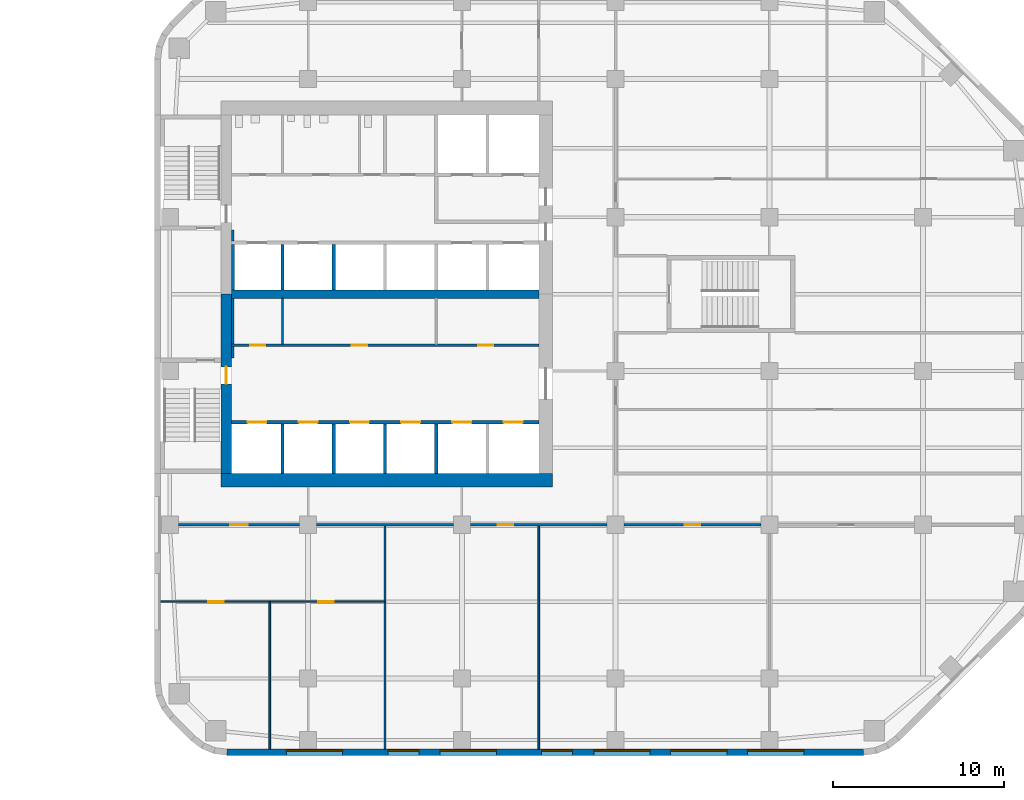
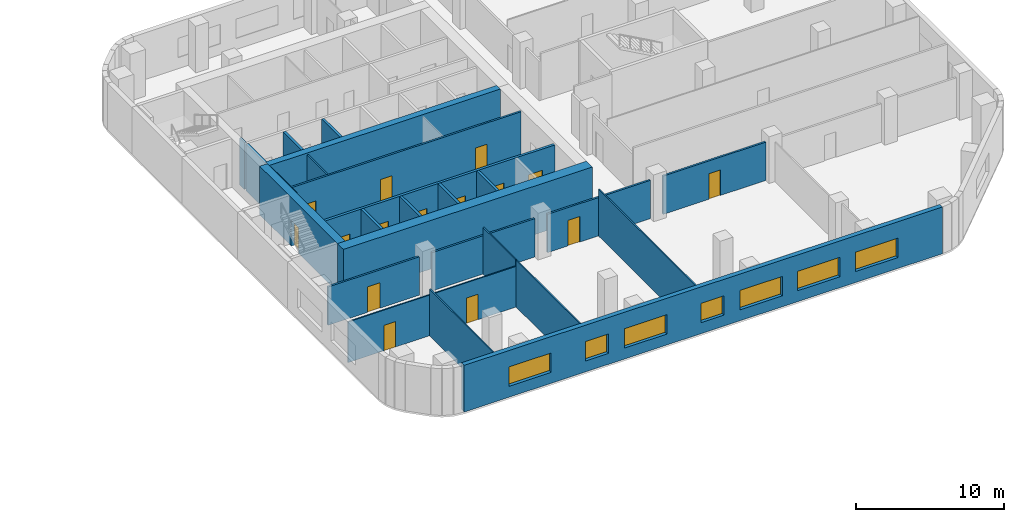
# One storey, part 8 of 14: 26 walls, 15 doors, 7 windows, 22 openings.
"""IFC4 building model written with IfcOpenShell, lengths in metres."""

from ifc_helpers import new_model, si_unit, direction, frame, frame_2d, origin, place, context, subcontext, project, spatial, rectangle, extrude, material, layer, layer_set, type_object, element, fill, save


model = new_model("IFC4")

# Units and contexts
model_context = context("Model", 3, precision=1e-05, world=origin(), true_north=direction((0.0, 1.0)))
body_context = subcontext(model_context, "Body", "Model", "MODEL_VIEW")
ifc_project = project(units=[si_unit("LENGTHUNIT", "METRE"), si_unit("AREAUNIT", "SQUARE_METRE"), si_unit("VOLUMEUNIT", "CUBIC_METRE"), si_unit("PLANEANGLEUNIT", "RADIAN"), si_unit("MASSUNIT", "GRAM", prefix="KILO")], contexts=[model_context])

# Site, building, storey
site_placement = place(None, origin())
site = spatial("IfcSite", under=ifc_project, at=site_placement, CompositionType="ELEMENT")
building_placement = place(site_placement, origin())
building = spatial("IfcBuilding", under=site, at=building_placement, Name="Cinnabar Reach Civic Tower", CompositionType="ELEMENT")
storey_placement = place(building_placement, frame((0.0, 0.0, 128.0)))
storey = spatial("IfcBuildingStorey", under=building, at=storey_placement, Name="L30", CompositionType="ELEMENT", Elevation=128.0)

# Wall, openings, windows
ifc_material_1 = material(Name="Facing brick with insulated backing", Category="masonry")
ifc_layer_1 = layer(ifc_material_1, 0.36)
ifc_layer_set_1 = layer_set([ifc_layer_1], Name="Brick pier and spandrel wall")
wall_type_1 = type_object("IfcWallType", Name="Brick pier and spandrel wall", PredefinedType="STANDARD", material=ifc_layer_set_1)
wall_1_placement = place(storey_placement, frame((4.2426, 4.68, 0.0), z_axis=(0.0, 0.0, 1.0), x_axis=(1.0, 0.0, 0.0)))
wall_1 = element("IfcWall", 1, at=wall_1_placement, inside=storey, type_object=wall_type_1, Name="Brick facade wall", PredefinedType="STANDARD", context=body_context, shape_type="SweptSolid", body=[
    extrude(rectangle(XDim=37.2648, YDim=0.36, at=frame_2d((18.6324, 0.0))), origin(), (0.0, 0.0, 1.0), 3.85),
])
opening_1_placement = place(wall_1_placement, frame((3.4824, 0.0, 0.9)))
opening_1 = element("IfcOpeningElement", 2, at=opening_1_placement, cuts=wall_1, Name="Opening W1633", PredefinedType="OPENING", context=body_context, shape_type="SweptSolid", body=[
    extrude(rectangle(XDim=3.3, YDim=1.6, at=frame_2d((1.65, 0.8))), frame((0.0, 0.19, 0.0), z_axis=(0.0, -1.0, 0.0), x_axis=(1.0, 0.0, 0.0)), (0.0, 0.0, 1.0), 0.38),
])
opening_2_placement = place(wall_1_placement, frame((9.4324, 0.0, 0.9)))
opening_2 = element("IfcOpeningElement", 3, at=opening_2_placement, cuts=wall_1, Name="Opening W1634", PredefinedType="OPENING", context=body_context, shape_type="SweptSolid", body=[
    extrude(rectangle(XDim=1.8, YDim=1.6, at=frame_2d((0.9, 0.8))), frame((0.0, 0.19, 0.0), z_axis=(0.0, -1.0, 0.0), x_axis=(1.0, 0.0, 0.0)), (0.0, 0.0, 1.0), 0.38),
])
opening_3_placement = place(wall_1_placement, frame((12.4824, 0.0, 0.9)))
opening_3 = element("IfcOpeningElement", 4, at=opening_3_placement, cuts=wall_1, Name="Opening W1635", PredefinedType="OPENING", context=body_context, shape_type="SweptSolid", body=[
    extrude(rectangle(XDim=3.3, YDim=1.6, at=frame_2d((1.65, 0.8))), frame((0.0, 0.19, 0.0), z_axis=(0.0, -1.0, 0.0), x_axis=(1.0, 0.0, 0.0)), (0.0, 0.0, 1.0), 0.38),
])
opening_4_placement = place(wall_1_placement, frame((18.4324, 0.0, 0.9)))
opening_4 = element("IfcOpeningElement", 5, at=opening_4_placement, cuts=wall_1, Name="Opening W1636", PredefinedType="OPENING", context=body_context, shape_type="SweptSolid", body=[
    extrude(rectangle(XDim=1.8, YDim=1.6, at=frame_2d((0.9, 0.8))), frame((0.0, 0.19, 0.0), z_axis=(0.0, -1.0, 0.0), x_axis=(1.0, 0.0, 0.0)), (0.0, 0.0, 1.0), 0.38),
])
opening_5_placement = place(wall_1_placement, frame((21.4824, 0.0, 0.9)))
opening_5 = element("IfcOpeningElement", 6, at=opening_5_placement, cuts=wall_1, Name="Opening W1637", PredefinedType="OPENING", context=body_context, shape_type="SweptSolid", body=[
    extrude(rectangle(XDim=3.3, YDim=1.6, at=frame_2d((1.65, 0.8))), frame((0.0, 0.19, 0.0), z_axis=(0.0, -1.0, 0.0), x_axis=(1.0, 0.0, 0.0)), (0.0, 0.0, 1.0), 0.38),
])
opening_6_placement = place(wall_1_placement, frame((25.9824, 0.0, 0.9)))
opening_6 = element("IfcOpeningElement", 7, at=opening_6_placement, cuts=wall_1, Name="Opening W1638", PredefinedType="OPENING", context=body_context, shape_type="SweptSolid", body=[
    extrude(rectangle(XDim=3.3, YDim=1.6, at=frame_2d((1.65, 0.8))), frame((0.0, 0.19, 0.0), z_axis=(0.0, -1.0, 0.0), x_axis=(1.0, 0.0, 0.0)), (0.0, 0.0, 1.0), 0.38),
])
opening_7_placement = place(wall_1_placement, frame((30.4824, 0.0, 0.9)))
opening_7 = element("IfcOpeningElement", 8, at=opening_7_placement, cuts=wall_1, Name="Opening W1639", PredefinedType="OPENING", context=body_context, shape_type="SweptSolid", body=[
    extrude(rectangle(XDim=3.3, YDim=1.6, at=frame_2d((1.65, 0.8))), frame((0.0, 0.19, 0.0), z_axis=(0.0, -1.0, 0.0), x_axis=(1.0, 0.0, 0.0)), (0.0, 0.0, 1.0), 0.38),
])
ifc_material_2 = material(Name="Clear double glazing in aluminium frame", Category="aluminium")
window_type_1 = type_object("IfcWindowType", Name="Deep-set window A", PartitioningType="SINGLE_PANEL", PredefinedType="WINDOW", material=ifc_material_2)
window_1_placement = place(opening_1_placement, origin())
window_1 = element("IfcWindow", 9, at=window_1_placement, inside=storey, type_object=window_type_1, Name="Window south face", OverallHeight=1.6, OverallWidth=3.3, PartitioningType="SINGLE_PANEL", PredefinedType="WINDOW", context=body_context, shape_type="SweptSolid", body=[
    extrude(rectangle(XDim=3.3, YDim=1.6, at=frame_2d((1.65, 0.8))), frame((0.0, 0.13, 0.0), z_axis=(0.0, -1.0, 0.0), x_axis=(1.0, 0.0, 0.0)), (0.0, 0.0, 1.0), 0.06),
])
fill(opening_1, window_1)
window_2_placement = place(opening_3_placement, origin())
window_2 = element("IfcWindow", 10, at=window_2_placement, inside=storey, type_object=window_type_1, Name="Window south face", OverallHeight=1.6, OverallWidth=3.3, PartitioningType="SINGLE_PANEL", PredefinedType="WINDOW", context=body_context, shape_type="SweptSolid", body=[
    extrude(rectangle(XDim=3.3, YDim=1.6, at=frame_2d((1.65, 0.8))), frame((0.0, 0.13, 0.0), z_axis=(0.0, -1.0, 0.0), x_axis=(1.0, 0.0, 0.0)), (0.0, 0.0, 1.0), 0.06),
])
fill(opening_3, window_2)
window_3_placement = place(opening_5_placement, origin())
window_3 = element("IfcWindow", 11, at=window_3_placement, inside=storey, type_object=window_type_1, Name="Window south face", OverallHeight=1.6, OverallWidth=3.3, PartitioningType="SINGLE_PANEL", PredefinedType="WINDOW", context=body_context, shape_type="SweptSolid", body=[
    extrude(rectangle(XDim=3.3, YDim=1.6, at=frame_2d((1.65, 0.8))), frame((0.0, 0.13, 0.0), z_axis=(0.0, -1.0, 0.0), x_axis=(1.0, 0.0, 0.0)), (0.0, 0.0, 1.0), 0.06),
])
fill(opening_5, window_3)
window_4_placement = place(opening_6_placement, origin())
window_4 = element("IfcWindow", 12, at=window_4_placement, inside=storey, type_object=window_type_1, Name="Window south face", OverallHeight=1.6, OverallWidth=3.3, PartitioningType="SINGLE_PANEL", PredefinedType="WINDOW", context=body_context, shape_type="SweptSolid", body=[
    extrude(rectangle(XDim=3.3, YDim=1.6, at=frame_2d((1.65, 0.8))), frame((0.0, 0.13, 0.0), z_axis=(0.0, -1.0, 0.0), x_axis=(1.0, 0.0, 0.0)), (0.0, 0.0, 1.0), 0.06),
])
fill(opening_6, window_4)
window_5_placement = place(opening_7_placement, origin())
window_5 = element("IfcWindow", 13, at=window_5_placement, inside=storey, type_object=window_type_1, Name="Window south face", OverallHeight=1.6, OverallWidth=3.3, PartitioningType="SINGLE_PANEL", PredefinedType="WINDOW", context=body_context, shape_type="SweptSolid", body=[
    extrude(rectangle(XDim=3.3, YDim=1.6, at=frame_2d((1.65, 0.8))), frame((0.0, 0.13, 0.0), z_axis=(0.0, -1.0, 0.0), x_axis=(1.0, 0.0, 0.0)), (0.0, 0.0, 1.0), 0.06),
])
fill(opening_7, window_5)
window_type_2 = type_object("IfcWindowType", Name="Deep-set window D", PartitioningType="SINGLE_PANEL", PredefinedType="WINDOW", material=ifc_material_2)
window_6_placement = place(opening_2_placement, origin())
window_6 = element("IfcWindow", 14, at=window_6_placement, inside=storey, type_object=window_type_2, Name="Window south face", OverallHeight=1.6, OverallWidth=1.8, PartitioningType="SINGLE_PANEL", PredefinedType="WINDOW", context=body_context, shape_type="SweptSolid", body=[
    extrude(rectangle(XDim=1.8, YDim=1.6, at=frame_2d((0.9, 0.8))), frame((0.0, 0.13, 0.0), z_axis=(0.0, -1.0, 0.0), x_axis=(1.0, 0.0, 0.0)), (0.0, 0.0, 1.0), 0.06),
])
fill(opening_2, window_6)
window_7_placement = place(opening_4_placement, origin())
window_7 = element("IfcWindow", 15, at=window_7_placement, inside=storey, type_object=window_type_2, Name="Window south face", OverallHeight=1.6, OverallWidth=1.8, PartitioningType="SINGLE_PANEL", PredefinedType="WINDOW", context=body_context, shape_type="SweptSolid", body=[
    extrude(rectangle(XDim=1.8, YDim=1.6, at=frame_2d((0.9, 0.8))), frame((0.0, 0.13, 0.0), z_axis=(0.0, -1.0, 0.0), x_axis=(1.0, 0.0, 0.0)), (0.0, 0.0, 1.0), 0.06),
])
fill(opening_4, window_7)

# Wall
ifc_material_3 = material(Name="Concrete C60", Category="concrete")
ifc_layer_2 = layer(ifc_material_3, 0.5)
ifc_layer_set_2 = layer_set([ifc_layer_2], Name="Core wall 500 EI 180")
wall_type_2 = type_object("IfcWallType", Name="Core wall 500 EI 180", PredefinedType="SOLIDWALL", material=ifc_layer_set_2)
wall_2_placement = place(storey_placement, frame((4.5, 31.5, 0.0), z_axis=(0.0, 0.0, 1.0), x_axis=(1.0, 0.0, 0.0)))
element("IfcWall", 16, at=wall_2_placement, inside=storey, type_object=wall_type_2, Name="Core spine wall T1 L30", PredefinedType="SOLIDWALL", context=body_context, shape_type="SweptSolid", body=[
    extrude(rectangle(XDim=18.0, YDim=0.5, at=frame_2d((9.0, 0.0))), origin(), (0.0, 0.0, 1.0), 4.0),
])

# Wall, opening, door
ifc_material_4 = material(Name="Concrete C70", Category="concrete")
ifc_layer_3 = layer(ifc_material_4, 0.6)
ifc_layer_set_3 = layer_set([ifc_layer_3], Name="Core wall 600 EI 180")
wall_type_3 = type_object("IfcWallType", Name="Core wall 600 EI 180", PredefinedType="SOLIDWALL", material=ifc_layer_set_3)
wall_3_placement = place(storey_placement, frame((4.2, 31.5, 0.0), z_axis=(0.0, 0.0, 1.0), x_axis=(0.0, -1.0, 0.0)))
wall_3 = element("IfcWall", 17, at=wall_3_placement, inside=storey, type_object=wall_type_3, Name="Core wall T1 L30 W2", PredefinedType="SOLIDWALL", context=body_context, shape_type="SweptSolid", body=[
    extrude(rectangle(XDim=10.5, YDim=0.6, at=frame_2d((5.25, 0.0))), origin(), (0.0, 0.0, 1.0), 4.0),
])
opening_8_placement = place(wall_3_placement, frame((4.25, 0.0, 0.0)))
opening_8 = element("IfcOpeningElement", 18, at=opening_8_placement, cuts=wall_3, Name="Opening D4212", PredefinedType="OPENING", context=body_context, shape_type="SweptSolid", body=[
    extrude(rectangle(XDim=1.0, YDim=2.1, at=frame_2d((0.5, 1.05))), frame((0.0, 0.31, 0.0), z_axis=(0.0, -1.0, 0.0), x_axis=(1.0, 0.0, 0.0)), (0.0, 0.0, 1.0), 0.62),
])
ifc_material_5 = material(Name="Timber door leaf in steel frame", Category="steel")
door_type_1 = type_object("IfcDoorType", Name="Stair door 1000 x 2100 T1", OperationType="SINGLE_SWING_LEFT", PredefinedType="DOOR", material=ifc_material_5)
door_1_placement = place(opening_8_placement, frame((1.0, 0.0, 0.0), z_axis=(0.0, 0.0, 1.0), x_axis=(-1.0, 0.0, 0.0)))
door_1 = element("IfcDoor", 19, at=door_1_placement, inside=storey, type_object=door_type_1, Name="Door D4212", OperationType="SINGLE_SWING_RIGHT", OverallHeight=2.1, OverallWidth=1.0, PredefinedType="DOOR", context=body_context, shape_type="SweptSolid", body=[
    extrude(rectangle(XDim=1.0, YDim=2.1, at=frame_2d((0.5, 1.05))), frame((0.0, 0.025, 0.0), z_axis=(0.0, -1.0, 0.0), x_axis=(1.0, 0.0, 0.0)), (0.0, 0.0, 1.0), 0.05),
])
fill(opening_8, door_1)

# Wall
ifc_layer_4 = layer(ifc_material_4, 0.8)
ifc_layer_set_4 = layer_set([ifc_layer_4], Name="Core wall 800 EI 180")
wall_type_4 = type_object("IfcWallType", Name="Core wall 800 EI 180", PredefinedType="SOLIDWALL", material=ifc_layer_set_4)
wall_4_placement = place(storey_placement, frame((3.9, 20.6, 0.0), z_axis=(0.0, 0.0, 1.0), x_axis=(1.0, 0.0, 0.0)))
element("IfcWall", 20, at=wall_4_placement, inside=storey, type_object=wall_type_4, Name="Core wall T1 L30 S", PredefinedType="SOLIDWALL", context=body_context, shape_type="SweptSolid", body=[
    extrude(rectangle(XDim=19.4, YDim=0.8, at=frame_2d((9.7, 0.0))), origin(), (0.0, 0.0, 1.0), 4.0),
])

# Wall, opening, door
ifc_material_6 = material(Name="Gypsum board on steel studs, double layer", Category="steel")
ifc_layer_5 = layer(ifc_material_6, 0.15)
ifc_layer_set_5 = layer_set([ifc_layer_5], Name="Corridor wall 150 T1")
wall_type_5 = type_object("IfcWallType", Name="Corridor wall 150 T1", PredefinedType="PARTITIONING", material=ifc_layer_set_5)
wall_5_placement = place(storey_placement, frame((27.5, 18.0, 0.0), z_axis=(0.0, 0.0, 1.0), x_axis=(1.0, 0.0, 0.0)))
wall_5 = element("IfcWall", 21, at=wall_5_placement, inside=storey, type_object=wall_type_5, Name="Corridor wall 21", PredefinedType="PARTITIONING", context=body_context, shape_type="SweptSolid", body=[
    extrude(rectangle(XDim=8.0, YDim=0.15, at=frame_2d((4.0, 0.0))), origin(), (0.0, 0.0, 1.0), 3.158),
])
opening_9_placement = place(wall_5_placement, frame((3.55, 0.0, 0.0)))
opening_9 = element("IfcOpeningElement", 22, at=opening_9_placement, cuts=wall_5, Name="Opening D4248", PredefinedType="OPENING", context=body_context, shape_type="SweptSolid", body=[
    extrude(rectangle(XDim=0.9, YDim=2.1, at=frame_2d((0.45, 1.05))), frame((0.0, 0.085, 0.0), z_axis=(0.0, -1.0, 0.0), x_axis=(1.0, 0.0, 0.0)), (0.0, 0.0, 1.0), 0.17),
])
door_type_2 = type_object("IfcDoorType", Name="Single swing door 900 x 2100 corridor T1", OperationType="SINGLE_SWING_LEFT", PredefinedType="DOOR", material=ifc_material_5)
door_2_placement = place(opening_9_placement, frame((0.9, 0.0, 0.0), z_axis=(0.0, 0.0, 1.0), x_axis=(-1.0, 0.0, 0.0)))
door_2 = element("IfcDoor", 23, at=door_2_placement, inside=storey, type_object=door_type_2, Name="Door D4248", OperationType="SINGLE_SWING_RIGHT", OverallHeight=2.1, OverallWidth=0.9, PredefinedType="DOOR", context=body_context, shape_type="SweptSolid", body=[
    extrude(rectangle(XDim=0.9, YDim=2.1, at=frame_2d((0.45, 1.05))), frame((0.0, 0.025, 0.0), z_axis=(0.0, -1.0, 0.0), x_axis=(1.0, 0.0, 0.0)), (0.0, 0.0, 1.0), 0.05),
])
fill(opening_9, door_2)

wall_6_placement = place(storey_placement, frame((18.5, 18.0, 0.0), z_axis=(0.0, 0.0, 1.0), x_axis=(1.0, 0.0, 0.0)))
wall_6 = element("IfcWall", 24, at=wall_6_placement, inside=storey, type_object=wall_type_5, Name="Corridor wall 22", PredefinedType="PARTITIONING", context=body_context, shape_type="SweptSolid", body=[
    extrude(rectangle(XDim=8.0, YDim=0.15, at=frame_2d((4.0, 0.0))), origin(), (0.0, 0.0, 1.0), 3.158),
])
opening_10_placement = place(wall_6_placement, frame((1.6, 0.0, 0.0)))
opening_10 = element("IfcOpeningElement", 25, at=opening_10_placement, cuts=wall_6, Name="Opening D4247", PredefinedType="OPENING", context=body_context, shape_type="SweptSolid", body=[
    extrude(rectangle(XDim=0.9, YDim=2.1, at=frame_2d((0.45, 1.05))), frame((0.0, 0.085, 0.0), z_axis=(0.0, -1.0, 0.0), x_axis=(1.0, 0.0, 0.0)), (0.0, 0.0, 1.0), 0.17),
])
door_3_placement = place(opening_10_placement, frame((0.9, 0.0, 0.0), z_axis=(0.0, 0.0, 1.0), x_axis=(-1.0, 0.0, 0.0)))
door_3 = element("IfcDoor", 26, at=door_3_placement, inside=storey, type_object=door_type_2, Name="Door D4247", OperationType="SINGLE_SWING_RIGHT", OverallHeight=2.1, OverallWidth=0.9, PredefinedType="DOOR", context=body_context, shape_type="SweptSolid", body=[
    extrude(rectangle(XDim=0.9, YDim=2.1, at=frame_2d((0.45, 1.05))), frame((0.0, 0.025, 0.0), z_axis=(0.0, -1.0, 0.0), x_axis=(1.0, 0.0, 0.0)), (0.0, 0.0, 1.0), 0.05),
])
fill(opening_10, door_3)

# Wall
wall_7_placement = place(storey_placement, frame((9.5, 18.0, 0.0), z_axis=(0.0, 0.0, 1.0), x_axis=(1.0, 0.0, 0.0)))
element("IfcWall", 27, at=wall_7_placement, inside=storey, type_object=wall_type_5, Name="Corridor wall 23", PredefinedType="PARTITIONING", context=body_context, shape_type="SweptSolid", body=[
    extrude(rectangle(XDim=8.0, YDim=0.15, at=frame_2d((4.0, 0.0))), origin(), (0.0, 0.0, 1.0), 3.158),
])

# Wall, opening, door
wall_8_placement = place(storey_placement, frame((1.4, 18.0, 0.0), z_axis=(0.0, 0.0, 1.0), x_axis=(1.0, 0.0, 0.0)))
wall_8 = element("IfcWall", 28, at=wall_8_placement, inside=storey, type_object=wall_type_5, Name="Corridor wall 24", PredefinedType="PARTITIONING", context=body_context, shape_type="SweptSolid", body=[
    extrude(rectangle(XDim=7.1, YDim=0.15, at=frame_2d((3.55, 0.0))), origin(), (0.0, 0.0, 1.0), 3.158),
])
opening_11_placement = place(wall_8_placement, frame((3.05, 0.0, 0.0)))
opening_11 = element("IfcOpeningElement", 29, at=opening_11_placement, cuts=wall_8, Name="Opening D4244", PredefinedType="OPENING", context=body_context, shape_type="SweptSolid", body=[
    extrude(rectangle(XDim=1.0, YDim=2.1, at=frame_2d((0.5, 1.05))), frame((0.0, 0.085, 0.0), z_axis=(0.0, -1.0, 0.0), x_axis=(1.0, 0.0, 0.0)), (0.0, 0.0, 1.0), 0.17),
])
door_type_3 = type_object("IfcDoorType", Name="Tenancy entrance door 1000 x 2100 T1", OperationType="SINGLE_SWING_LEFT", PredefinedType="DOOR", material=ifc_material_5)
door_4_placement = place(opening_11_placement, frame((1.0, 0.0, 0.0), z_axis=(0.0, 0.0, 1.0), x_axis=(-1.0, 0.0, 0.0)))
door_4 = element("IfcDoor", 30, at=door_4_placement, inside=storey, type_object=door_type_3, Name="Door D4244", OperationType="SINGLE_SWING_RIGHT", OverallHeight=2.1, OverallWidth=1.0, PredefinedType="DOOR", context=body_context, shape_type="SweptSolid", body=[
    extrude(rectangle(XDim=1.0, YDim=2.1, at=frame_2d((0.5, 1.05))), frame((0.0, 0.025, 0.0), z_axis=(0.0, -1.0, 0.0), x_axis=(1.0, 0.0, 0.0)), (0.0, 0.0, 1.0), 0.05),
])
fill(opening_11, door_4)

# Wall, openings, doors
wall_9_placement = place(storey_placement, frame((4.5, 28.5, 0.0), z_axis=(0.0, 0.0, 1.0), x_axis=(1.0, 0.0, 0.0)))
wall_9 = element("IfcWall", 31, at=wall_9_placement, inside=storey, type_object=wall_type_5, Name="Corridor wall 26", PredefinedType="PARTITIONING", context=body_context, shape_type="SweptSolid", body=[
    extrude(rectangle(XDim=18.0, YDim=0.15, at=frame_2d((9.0, 0.0))), origin(), (0.0, 0.0, 1.0), 3.85),
])
opening_12_placement = place(wall_9_placement, frame((1.1, 0.0, 0.0)))
opening_12 = element("IfcOpeningElement", 32, at=opening_12_placement, cuts=wall_9, Name="Opening D4232", PredefinedType="OPENING", context=body_context, shape_type="SweptSolid", body=[
    extrude(rectangle(XDim=0.9, YDim=2.1, at=frame_2d((0.45, 1.05))), frame((0.0, 0.085, 0.0), z_axis=(0.0, -1.0, 0.0), x_axis=(1.0, 0.0, 0.0)), (0.0, 0.0, 1.0), 0.17),
])
opening_13_placement = place(wall_9_placement, frame((7.05, 0.0, 0.0)))
opening_13 = element("IfcOpeningElement", 33, at=opening_13_placement, cuts=wall_9, Name="Opening D4233", PredefinedType="OPENING", context=body_context, shape_type="SweptSolid", body=[
    extrude(rectangle(XDim=0.9, YDim=2.1, at=frame_2d((0.45, 1.05))), frame((0.0, 0.085, 0.0), z_axis=(0.0, -1.0, 0.0), x_axis=(1.0, 0.0, 0.0)), (0.0, 0.0, 1.0), 0.17),
])
opening_14_placement = place(wall_9_placement, frame((14.45, 0.0, 0.0)))
opening_14 = element("IfcOpeningElement", 34, at=opening_14_placement, cuts=wall_9, Name="Opening D4234", PredefinedType="OPENING", context=body_context, shape_type="SweptSolid", body=[
    extrude(rectangle(XDim=0.9, YDim=2.1, at=frame_2d((0.45, 1.05))), frame((0.0, 0.085, 0.0), z_axis=(0.0, -1.0, 0.0), x_axis=(1.0, 0.0, 0.0)), (0.0, 0.0, 1.0), 0.17),
])
door_5_placement = place(opening_12_placement, origin())
door_5 = element("IfcDoor", 35, at=door_5_placement, inside=storey, type_object=door_type_2, Name="Door D4232", OperationType="SINGLE_SWING_RIGHT", OverallHeight=2.1, OverallWidth=0.9, PredefinedType="DOOR", context=body_context, shape_type="SweptSolid", body=[
    extrude(rectangle(XDim=0.9, YDim=2.1, at=frame_2d((0.45, 1.05))), frame((0.0, 0.025, 0.0), z_axis=(0.0, -1.0, 0.0), x_axis=(1.0, 0.0, 0.0)), (0.0, 0.0, 1.0), 0.05),
])
fill(opening_12, door_5)
door_6_placement = place(opening_13_placement, origin())
door_6 = element("IfcDoor", 36, at=door_6_placement, inside=storey, type_object=door_type_2, Name="Door D4233", OperationType="SINGLE_SWING_LEFT", OverallHeight=2.1, OverallWidth=0.9, PredefinedType="DOOR", context=body_context, shape_type="SweptSolid", body=[
    extrude(rectangle(XDim=0.9, YDim=2.1, at=frame_2d((0.45, 1.05))), frame((0.0, 0.025, 0.0), z_axis=(0.0, -1.0, 0.0), x_axis=(1.0, 0.0, 0.0)), (0.0, 0.0, 1.0), 0.05),
])
fill(opening_13, door_6)
door_7_placement = place(opening_14_placement, origin())
door_7 = element("IfcDoor", 37, at=door_7_placement, inside=storey, type_object=door_type_2, Name="Door D4234", OperationType="SINGLE_SWING_RIGHT", OverallHeight=2.1, OverallWidth=0.9, PredefinedType="DOOR", context=body_context, shape_type="SweptSolid", body=[
    extrude(rectangle(XDim=0.9, YDim=2.1, at=frame_2d((0.45, 1.05))), frame((0.0, 0.025, 0.0), z_axis=(0.0, -1.0, 0.0), x_axis=(1.0, 0.0, 0.0)), (0.0, 0.0, 1.0), 0.05),
])
fill(opening_14, door_7)

# Walls
wall_10_placement = place(storey_placement, frame((4.575, 27.75, 0.0), z_axis=(0.0, 0.0, 1.0), x_axis=(0.0, 1.0, 0.0)))
element("IfcWall", 38, at=wall_10_placement, inside=storey, type_object=wall_type_5, Name="Corridor wall 34", PredefinedType="PARTITIONING", context=body_context, shape_type="SweptSolid", body=[
    extrude(rectangle(XDim=0.675, YDim=0.15, at=frame_2d((0.3375, 0.0))), origin(), (0.0, 0.0, 1.0), 3.85),
])
wall_11_placement = place(storey_placement, frame((4.575, 28.575, 0.0), z_axis=(0.0, 0.0, 1.0), x_axis=(0.0, 1.0, 0.0)))
element("IfcWall", 39, at=wall_11_placement, inside=storey, type_object=wall_type_5, Name="Corridor wall 35", PredefinedType="PARTITIONING", context=body_context, shape_type="SweptSolid", body=[
    extrude(rectangle(XDim=2.675, YDim=0.15, at=frame_2d((1.3375, 0.0))), origin(), (0.0, 0.0, 1.0), 3.85),
])
wall_12_placement = place(storey_placement, frame((4.575, 34.6, 0.0), z_axis=(0.0, 0.0, 1.0), x_axis=(0.0, 1.0, 0.0)))
element("IfcWall", 40, at=wall_12_placement, inside=storey, type_object=wall_type_5, Name="Corridor wall 38", PredefinedType="PARTITIONING", context=body_context, shape_type="SweptSolid", body=[
    extrude(rectangle(XDim=0.65, YDim=0.15, at=frame_2d((0.325, 0.0))), origin(), (0.0, 0.0, 1.0), 3.85),
])

# Wall, openings, doors
ifc_material_7 = material(Name="Blockwork", Category="masonry")
ifc_layer_6 = layer(ifc_material_7, 0.2)
ifc_layer_set_6 = layer_set([ifc_layer_6], Name="Lift shaft wall 200 T1")
wall_type_6 = type_object("IfcWallType", Name="Lift shaft wall 200 T1", PredefinedType="PARTITIONING", material=ifc_layer_set_6)
wall_13_placement = place(storey_placement, frame((4.5, 24.0, 0.0), z_axis=(0.0, 0.0, 1.0), x_axis=(1.0, 0.0, 0.0)))
wall_13 = element("IfcWall", 41, at=wall_13_placement, inside=storey, type_object=wall_type_6, Name="Lift shaft wall 4", PredefinedType="PARTITIONING", context=body_context, shape_type="SweptSolid", body=[
    extrude(rectangle(XDim=18.0, YDim=0.2, at=frame_2d((9.0, 0.0))), origin(), (0.0, 0.0, 1.0), 3.85),
])
opening_15_placement = place(wall_13_placement, frame((0.95, 0.0, 0.0)))
opening_15 = element("IfcOpeningElement", 42, at=opening_15_placement, cuts=wall_13, Name="Opening D4216", PredefinedType="OPENING", context=body_context, shape_type="SweptSolid", body=[
    extrude(rectangle(XDim=1.1, YDim=2.1, at=frame_2d((0.55, 1.05))), frame((0.0, 0.11, 0.0), z_axis=(0.0, -1.0, 0.0), x_axis=(1.0, 0.0, 0.0)), (0.0, 0.0, 1.0), 0.22),
])
opening_16_placement = place(wall_13_placement, frame((3.95, 0.0, 0.0)))
opening_16 = element("IfcOpeningElement", 43, at=opening_16_placement, cuts=wall_13, Name="Opening D4217", PredefinedType="OPENING", context=body_context, shape_type="SweptSolid", body=[
    extrude(rectangle(XDim=1.1, YDim=2.1, at=frame_2d((0.55, 1.05))), frame((0.0, 0.11, 0.0), z_axis=(0.0, -1.0, 0.0), x_axis=(1.0, 0.0, 0.0)), (0.0, 0.0, 1.0), 0.22),
])
opening_17_placement = place(wall_13_placement, frame((6.95, 0.0, 0.0)))
opening_17 = element("IfcOpeningElement", 44, at=opening_17_placement, cuts=wall_13, Name="Opening D4218", PredefinedType="OPENING", context=body_context, shape_type="SweptSolid", body=[
    extrude(rectangle(XDim=1.1, YDim=2.1, at=frame_2d((0.55, 1.05))), frame((0.0, 0.11, 0.0), z_axis=(0.0, -1.0, 0.0), x_axis=(1.0, 0.0, 0.0)), (0.0, 0.0, 1.0), 0.22),
])
opening_18_placement = place(wall_13_placement, frame((9.95, 0.0, 0.0)))
opening_18 = element("IfcOpeningElement", 45, at=opening_18_placement, cuts=wall_13, Name="Opening D4219", PredefinedType="OPENING", context=body_context, shape_type="SweptSolid", body=[
    extrude(rectangle(XDim=1.1, YDim=2.1, at=frame_2d((0.55, 1.05))), frame((0.0, 0.11, 0.0), z_axis=(0.0, -1.0, 0.0), x_axis=(1.0, 0.0, 0.0)), (0.0, 0.0, 1.0), 0.22),
])
opening_19_placement = place(wall_13_placement, frame((12.95, 0.0, 0.0)))
opening_19 = element("IfcOpeningElement", 46, at=opening_19_placement, cuts=wall_13, Name="Opening D4220", PredefinedType="OPENING", context=body_context, shape_type="SweptSolid", body=[
    extrude(rectangle(XDim=1.1, YDim=2.1, at=frame_2d((0.55, 1.05))), frame((0.0, 0.11, 0.0), z_axis=(0.0, -1.0, 0.0), x_axis=(1.0, 0.0, 0.0)), (0.0, 0.0, 1.0), 0.22),
])
opening_20_placement = place(wall_13_placement, frame((15.95, 0.0, 0.0)))
opening_20 = element("IfcOpeningElement", 47, at=opening_20_placement, cuts=wall_13, Name="Opening D4221", PredefinedType="OPENING", context=body_context, shape_type="SweptSolid", body=[
    extrude(rectangle(XDim=1.1, YDim=2.1, at=frame_2d((0.55, 1.05))), frame((0.0, 0.11, 0.0), z_axis=(0.0, -1.0, 0.0), x_axis=(1.0, 0.0, 0.0)), (0.0, 0.0, 1.0), 0.22),
])
ifc_material_8 = material(Name="Stainless steel sliding door", Category="steel")
door_type_4 = type_object("IfcDoorType", Name="Lift landing door 1100 x 2100 T1", OperationType="SLIDING_TO_LEFT", PredefinedType="DOOR", material=ifc_material_8)
door_8_placement = place(opening_15_placement, origin())
door_8 = element("IfcDoor", 48, at=door_8_placement, inside=storey, type_object=door_type_4, Name="Lift landing door LR1 L30", OperationType="SLIDING_TO_LEFT", OverallHeight=2.1, OverallWidth=1.1, PredefinedType="DOOR", context=body_context, shape_type="SweptSolid", body=[
    extrude(rectangle(XDim=1.1, YDim=2.1, at=frame_2d((0.55, 1.05))), frame((0.0, 0.025, 0.0), z_axis=(0.0, -1.0, 0.0), x_axis=(1.0, 0.0, 0.0)), (0.0, 0.0, 1.0), 0.05),
])
fill(opening_15, door_8)
door_9_placement = place(opening_16_placement, origin())
door_9 = element("IfcDoor", 49, at=door_9_placement, inside=storey, type_object=door_type_4, Name="Lift landing door LR2 L30", OperationType="SLIDING_TO_LEFT", OverallHeight=2.1, OverallWidth=1.1, PredefinedType="DOOR", context=body_context, shape_type="SweptSolid", body=[
    extrude(rectangle(XDim=1.1, YDim=2.1, at=frame_2d((0.55, 1.05))), frame((0.0, 0.025, 0.0), z_axis=(0.0, -1.0, 0.0), x_axis=(1.0, 0.0, 0.0)), (0.0, 0.0, 1.0), 0.05),
])
fill(opening_16, door_9)
door_10_placement = place(opening_17_placement, origin())
door_10 = element("IfcDoor", 50, at=door_10_placement, inside=storey, type_object=door_type_4, Name="Lift landing door LR3 L30", OperationType="SLIDING_TO_LEFT", OverallHeight=2.1, OverallWidth=1.1, PredefinedType="DOOR", context=body_context, shape_type="SweptSolid", body=[
    extrude(rectangle(XDim=1.1, YDim=2.1, at=frame_2d((0.55, 1.05))), frame((0.0, 0.025, 0.0), z_axis=(0.0, -1.0, 0.0), x_axis=(1.0, 0.0, 0.0)), (0.0, 0.0, 1.0), 0.05),
])
fill(opening_17, door_10)
door_11_placement = place(opening_18_placement, origin())
door_11 = element("IfcDoor", 51, at=door_11_placement, inside=storey, type_object=door_type_4, Name="Lift landing door LR4 L30", OperationType="SLIDING_TO_LEFT", OverallHeight=2.1, OverallWidth=1.1, PredefinedType="DOOR", context=body_context, shape_type="SweptSolid", body=[
    extrude(rectangle(XDim=1.1, YDim=2.1, at=frame_2d((0.55, 1.05))), frame((0.0, 0.025, 0.0), z_axis=(0.0, -1.0, 0.0), x_axis=(1.0, 0.0, 0.0)), (0.0, 0.0, 1.0), 0.05),
])
fill(opening_18, door_11)
door_12_placement = place(opening_19_placement, origin())
door_12 = element("IfcDoor", 52, at=door_12_placement, inside=storey, type_object=door_type_4, Name="Lift landing door LR5 L30", OperationType="SLIDING_TO_LEFT", OverallHeight=2.1, OverallWidth=1.1, PredefinedType="DOOR", context=body_context, shape_type="SweptSolid", body=[
    extrude(rectangle(XDim=1.1, YDim=2.1, at=frame_2d((0.55, 1.05))), frame((0.0, 0.025, 0.0), z_axis=(0.0, -1.0, 0.0), x_axis=(1.0, 0.0, 0.0)), (0.0, 0.0, 1.0), 0.05),
])
fill(opening_19, door_12)
door_13_placement = place(opening_20_placement, origin())
door_13 = element("IfcDoor", 53, at=door_13_placement, inside=storey, type_object=door_type_4, Name="Lift landing door LR6 L30", OperationType="SLIDING_TO_LEFT", OverallHeight=2.1, OverallWidth=1.1, PredefinedType="DOOR", context=body_context, shape_type="SweptSolid", body=[
    extrude(rectangle(XDim=1.1, YDim=2.1, at=frame_2d((0.55, 1.05))), frame((0.0, 0.025, 0.0), z_axis=(0.0, -1.0, 0.0), x_axis=(1.0, 0.0, 0.0)), (0.0, 0.0, 1.0), 0.05),
])
fill(opening_20, door_13)

# Walls
wall_14_placement = place(storey_placement, frame((4.6, 31.75, 0.0), z_axis=(0.0, 0.0, 1.0), x_axis=(0.0, 1.0, 0.0)))
element("IfcWall", 54, at=wall_14_placement, inside=storey, type_object=wall_type_6, Name="Lift shaft wall 8", PredefinedType="PARTITIONING", context=body_context, shape_type="SweptSolid", body=[
    extrude(rectangle(XDim=2.65, YDim=0.2, at=frame_2d((1.325, 0.0))), origin(), (0.0, 0.0, 1.0), 3.85),
])
wall_15_placement = place(storey_placement, frame((7.5, 21.0, 0.0), z_axis=(0.0, 0.0, 1.0), x_axis=(0.0, 1.0, 0.0)))
element("IfcWall", 55, at=wall_15_placement, inside=storey, type_object=wall_type_6, Name="Lift shaft wall 9", PredefinedType="PARTITIONING", context=body_context, shape_type="SweptSolid", body=[
    extrude(rectangle(XDim=2.9, YDim=0.2, at=frame_2d((1.45, 0.0))), origin(), (0.0, 0.0, 1.0), 3.85),
])
wall_16_placement = place(storey_placement, frame((7.5, 31.75, 0.0), z_axis=(0.0, 0.0, 1.0), x_axis=(0.0, 1.0, 0.0)))
element("IfcWall", 56, at=wall_16_placement, inside=storey, type_object=wall_type_6, Name="Lift shaft wall 10", PredefinedType="PARTITIONING", context=body_context, shape_type="SweptSolid", body=[
    extrude(rectangle(XDim=2.65, YDim=0.2, at=frame_2d((1.325, 0.0))), origin(), (0.0, 0.0, 1.0), 3.85),
])
wall_17_placement = place(storey_placement, frame((10.5, 21.0, 0.0), z_axis=(0.0, 0.0, 1.0), x_axis=(0.0, 1.0, 0.0)))
element("IfcWall", 57, at=wall_17_placement, inside=storey, type_object=wall_type_6, Name="Lift shaft wall 11", PredefinedType="PARTITIONING", context=body_context, shape_type="SweptSolid", body=[
    extrude(rectangle(XDim=2.9, YDim=0.2, at=frame_2d((1.45, 0.0))), origin(), (0.0, 0.0, 1.0), 3.85),
])
wall_18_placement = place(storey_placement, frame((10.5, 31.75, 0.0), z_axis=(0.0, 0.0, 1.0), x_axis=(0.0, 1.0, 0.0)))
element("IfcWall", 58, at=wall_18_placement, inside=storey, type_object=wall_type_6, Name="Lift shaft wall 12", PredefinedType="PARTITIONING", context=body_context, shape_type="SweptSolid", body=[
    extrude(rectangle(XDim=2.65, YDim=0.2, at=frame_2d((1.325, 0.0))), origin(), (0.0, 0.0, 1.0), 3.85),
])
for number, where, z_axis, x_axis, name in (
    (59, (13.5, 21.0, 0.0), (0.0, 0.0, 1.0), (0.0, 1.0, 0.0), "Lift shaft wall 13"),
    (60, (16.5, 21.0, 0.0), (0.0, 0.0, 1.0), (0.0, 1.0, 0.0), "Lift shaft wall 15"),
):
    element("IfcWall", number, at=place(storey_placement, frame(where, z_axis=z_axis, x_axis=x_axis)), inside=storey, type_object=wall_type_6, Name=name, PredefinedType="PARTITIONING", context=body_context, shape_type="SweptSolid", body=[
        extrude(rectangle(XDim=2.9, YDim=0.2, at=frame_2d((1.45, 0.0))), origin(), (0.0, 0.0, 1.0), 3.85),
    ])

# Wall, openings, doors
ifc_material_9 = material(Name="Gypsum board on steel studs", Category="steel")
ifc_layer_7 = layer(ifc_material_9, 0.1)
ifc_layer_set_7 = layer_set([ifc_layer_7], Name="Partition wall 100 T1")
wall_type_7 = type_object("IfcWallType", Name="Partition wall 100 T1", PredefinedType="PARTITIONING", material=ifc_layer_set_7)
wall_19_placement = place(storey_placement, frame((0.36, 13.5, 0.0), z_axis=(0.0, 0.0, 1.0), x_axis=(1.0, 0.0, 0.0)))
wall_19 = element("IfcWall", 61, at=wall_19_placement, inside=storey, type_object=wall_type_7, Name="Partition wall 43", PredefinedType="PARTITIONING", context=body_context, shape_type="SweptSolid", body=[
    extrude(rectangle(XDim=13.19, YDim=0.1, at=frame_2d((6.595, 0.0))), origin(), (0.0, 0.0, 1.0), 3.354),
])
opening_21_placement = place(wall_19_placement, frame((2.8, 0.0, 0.0)))
opening_21 = element("IfcOpeningElement", 62, at=opening_21_placement, cuts=wall_19, Name="Opening D4245", PredefinedType="OPENING", context=body_context, shape_type="SweptSolid", body=[
    extrude(rectangle(XDim=0.9, YDim=2.1, at=frame_2d((0.45, 1.05))), frame((0.0, 0.06, 0.0), z_axis=(0.0, -1.0, 0.0), x_axis=(1.0, 0.0, 0.0)), (0.0, 0.0, 1.0), 0.12),
])
opening_22_placement = place(wall_19_placement, frame((9.24, 0.0, 0.0)))
opening_22 = element("IfcOpeningElement", 63, at=opening_22_placement, cuts=wall_19, Name="Opening D4246", PredefinedType="OPENING", context=body_context, shape_type="SweptSolid", body=[
    extrude(rectangle(XDim=0.9, YDim=2.1, at=frame_2d((0.45, 1.05))), frame((0.0, 0.06, 0.0), z_axis=(0.0, -1.0, 0.0), x_axis=(1.0, 0.0, 0.0)), (0.0, 0.0, 1.0), 0.12),
])
door_type_5 = type_object("IfcDoorType", Name="Single swing door 900 x 2100 T1", OperationType="SINGLE_SWING_LEFT", PredefinedType="DOOR", material=ifc_material_5)
door_14_placement = place(opening_21_placement, frame((0.9, 0.0, 0.0), z_axis=(0.0, 0.0, 1.0), x_axis=(-1.0, 0.0, 0.0)))
door_14 = element("IfcDoor", 64, at=door_14_placement, inside=storey, type_object=door_type_5, Name="Door D4245", OperationType="SINGLE_SWING_LEFT", OverallHeight=2.1, OverallWidth=0.9, PredefinedType="DOOR", context=body_context, shape_type="SweptSolid", body=[
    extrude(rectangle(XDim=0.9, YDim=2.1, at=frame_2d((0.45, 1.05))), frame((0.0, 0.025, 0.0), z_axis=(0.0, -1.0, 0.0), x_axis=(1.0, 0.0, 0.0)), (0.0, 0.0, 1.0), 0.05),
])
fill(opening_21, door_14)
door_15_placement = place(opening_22_placement, frame((0.9, 0.0, 0.0), z_axis=(0.0, 0.0, 1.0), x_axis=(-1.0, 0.0, 0.0)))
door_15 = element("IfcDoor", 65, at=door_15_placement, inside=storey, type_object=door_type_5, Name="Door D4246", OperationType="SINGLE_SWING_RIGHT", OverallHeight=2.1, OverallWidth=0.9, PredefinedType="DOOR", context=body_context, shape_type="SweptSolid", body=[
    extrude(rectangle(XDim=0.9, YDim=2.1, at=frame_2d((0.45, 1.05))), frame((0.0, 0.025, 0.0), z_axis=(0.0, -1.0, 0.0), x_axis=(1.0, 0.0, 0.0)), (0.0, 0.0, 1.0), 0.05),
])
fill(opening_22, door_15)

# Walls
wall_20_placement = place(storey_placement, frame((13.5, 13.55, 0.0), z_axis=(0.0, 0.0, 1.0), x_axis=(0.0, 1.0, 0.0)))
element("IfcWall", 66, at=wall_20_placement, inside=storey, type_object=wall_type_7, Name="Partition wall 44", PredefinedType="PARTITIONING", context=body_context, shape_type="SweptSolid", body=[
    extrude(rectangle(XDim=4.375, YDim=0.1, at=frame_2d((2.1875, 0.0))), origin(), (0.0, 0.0, 1.0), 3.85),
])
wall_21_placement = place(storey_placement, frame((13.5, 4.86, 0.0), z_axis=(0.0, 0.0, 1.0), x_axis=(0.0, 1.0, 0.0)))
element("IfcWall", 67, at=wall_21_placement, inside=storey, type_object=wall_type_7, Name="Partition wall 45", PredefinedType="PARTITIONING", context=body_context, shape_type="SweptSolid", body=[
    extrude(rectangle(XDim=8.59, YDim=0.1, at=frame_2d((4.295, 0.0))), origin(), (0.0, 0.0, 1.0), 3.85),
])
wall_22_placement = place(storey_placement, frame((22.5, 4.86, 0.0), z_axis=(0.0, 0.0, 1.0), x_axis=(0.0, 1.0, 0.0)))
element("IfcWall", 68, at=wall_22_placement, inside=storey, type_object=wall_type_7, Name="Partition wall 46", PredefinedType="PARTITIONING", context=body_context, shape_type="SweptSolid", body=[
    extrude(rectangle(XDim=13.065, YDim=0.1, at=frame_2d((6.5325, 0.0))), origin(), (0.0, 0.0, 1.0), 3.85),
])
wall_23_placement = place(storey_placement, frame((6.75, 4.86, 0.0), z_axis=(0.0, 0.0, 1.0), x_axis=(0.0, 1.0, 0.0)))
element("IfcWall", 69, at=wall_23_placement, inside=storey, type_object=wall_type_7, Name="Partition wall 50", PredefinedType="PARTITIONING", context=body_context, shape_type="SweptSolid", body=[
    extrude(rectangle(XDim=8.59, YDim=0.1, at=frame_2d((4.295, 0.0))), origin(), (0.0, 0.0, 1.0), 3.85),
])
wall_24_placement = place(storey_placement, frame((7.5, 28.575, 0.0), z_axis=(0.0, 0.0, 1.0), x_axis=(0.0, 1.0, 0.0)))
element("IfcWall", 70, at=wall_24_placement, inside=storey, type_object=wall_type_7, Name="Partition wall 55", PredefinedType="PARTITIONING", context=body_context, shape_type="SweptSolid", body=[
    extrude(rectangle(XDim=2.675, YDim=0.1, at=frame_2d((1.3375, 0.0))), origin(), (0.0, 0.0, 1.0), 3.85),
])

save(model, "model.ifc")
